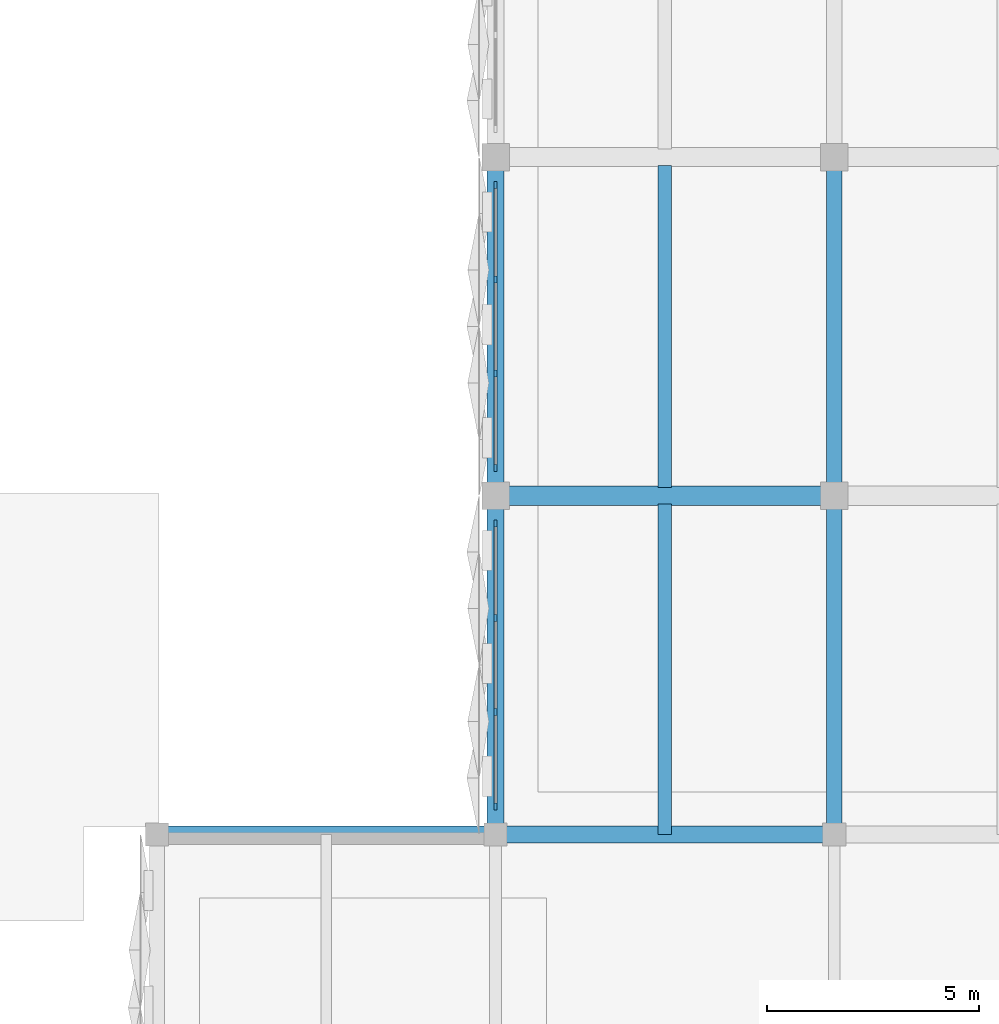
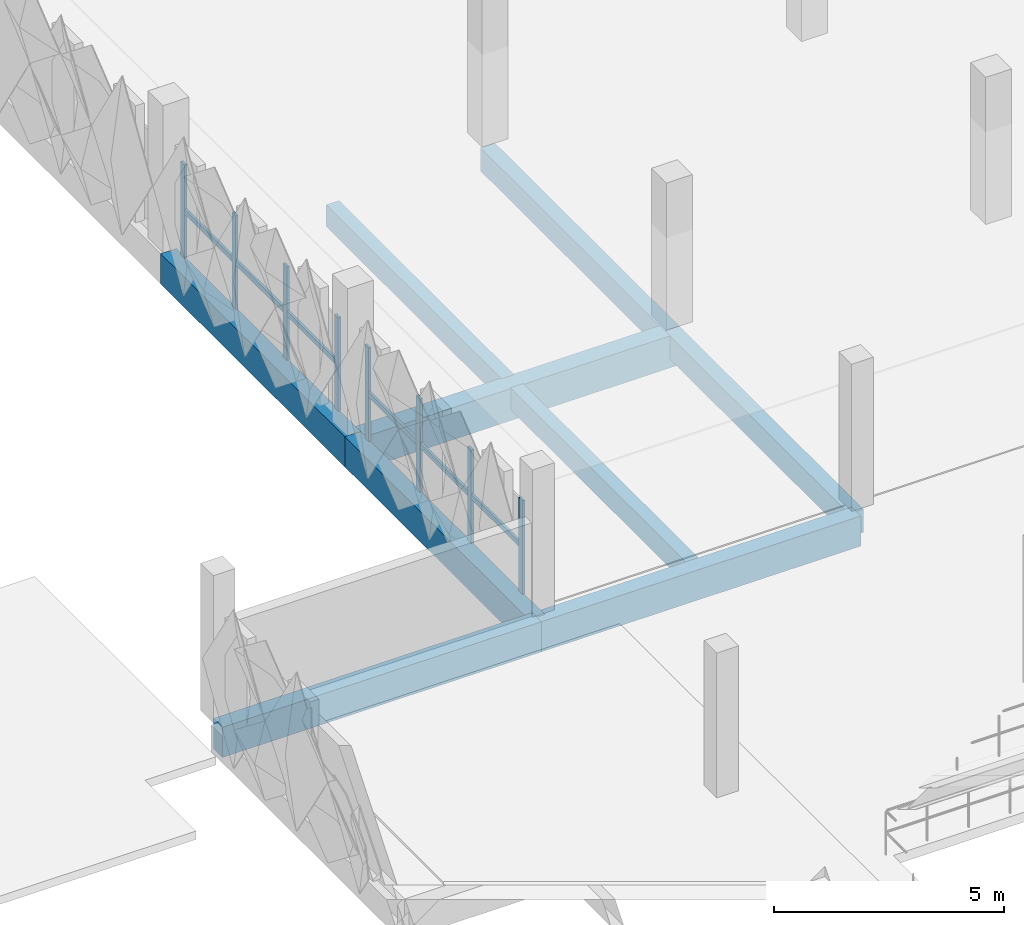
# One storey, part 28 of 96: 10 members, 9 beams, 2 elements without a shape of their own.
"""IFC4 building model written with IfcOpenShell, lengths in metres."""

from ifc_helpers import new_model, si_unit, derived_unit, direction, frame, origin, origin_2d, place, context, subcontext, project, spatial, rectangle, extrude, material, layer, layer_set, material_profile, profile_set, type_object, element, aggregate, save


model = new_model("IFC4")

# Units and contexts
model_context = context("Model", 3, precision=1e-05, world=origin(), true_north=direction((0.0, 1.0)))
body_context = subcontext(model_context, "Body", "Model", "MODEL_VIEW")
ifc_project = project(units=[si_unit("LENGTHUNIT", "METRE"), si_unit("AREAUNIT", "SQUARE_METRE"), si_unit("VOLUMEUNIT", "CUBIC_METRE"), si_unit("PLANEANGLEUNIT", "RADIAN"), si_unit("MASSUNIT", "GRAM", prefix="KILO"), si_unit("THERMODYNAMICTEMPERATUREUNIT", "KELVIN"), derived_unit("THERMALTRANSMITTANCEUNIT", [(si_unit("POWERUNIT", "WATT"), 1), (si_unit("AREAUNIT", "SQUARE_METRE"), -1), (si_unit("THERMODYNAMICTEMPERATUREUNIT", "KELVIN"), -1)])], contexts=[model_context])

# Site, building, storey
site_placement = place(None, origin())
site = spatial("IfcSite", under=ifc_project, at=site_placement, CompositionType="ELEMENT")
building_placement = place(site_placement, origin())
building = spatial("IfcBuilding", under=site, at=building_placement, Name="Haiyu Intermodal Mobility Hub", CompositionType="ELEMENT")
storey_placement = place(building_placement, frame((0.0, 0.0, 9.5)))
storey = spatial("IfcBuildingStorey", under=building, at=storey_placement, Name="L02", CompositionType="ELEMENT", Elevation=9.5)

# Beams
ifc_material_1 = material(Name="Concrete C40", Category="concrete")
ifc_material_profile_1 = material_profile(ifc_material_1, rectangle(XDim=0.449951171875, YDim=0.85009765625, at=origin_2d()), Name="RCB450x850")
ifc_profile_set_1 = profile_set([ifc_material_profile_1], Name="Concrete C40")
beam_type_1 = type_object("IfcBeamType", Name="BM-CB02", PredefinedType="BEAM", material=ifc_profile_set_1)
beam_1_placement = place(storey_placement, frame((162.0, 88.0, -0.68505859375), z_axis=(1.0, 0.0, 0.0), x_axis=(0.0, 1.0, 0.0)))
element("IfcBeam", 1, at=beam_1_placement, inside=storey, type_object=beam_type_1, Name="BM-V6G-L02-007", PredefinedType="BEAM", context=body_context, shape_type="SweptSolid", body=[
    extrude(rectangle(XDim=0.449951171875, YDim=0.85009765625, at=origin_2d()), origin(), (0.0, 0.0, 1.0), 8.0),
])
ifc_material_profile_2 = material_profile(ifc_material_1, rectangle(XDim=0.39990234375, YDim=0.800048828125, at=origin_2d()), Name="RCB400x800")
ifc_profile_set_2 = profile_set([ifc_material_profile_2], Name="Concrete C40")
beam_type_2 = type_object("IfcBeamType", Name="BM-CB05", PredefinedType="BEAM", material=ifc_profile_set_2)
for number, where, z_axis, x_axis, name in (
    (2, (154.0, 80.0, -0.659912109375), (1.0, 0.0, 0.0), (0.0, 1.0, 0.0), "BM-V5G-L02-056"),
    (3, (162.0, 80.0, -0.659912109375), (1.0, 0.0, 0.0), (0.0, 1.0, 0.0), "BM-V5G-L02-057"),
    (4, (162.0, 80.0, -0.659912109375), (0.0, 1.0, 0.0), (-1.0, 0.0, 0.0), "BM-V6T-L02-001"),
    (5, (162.0, 88.0, -0.659912109375), (0.0, 1.0, 0.0), (-1.0, 0.0, 0.0), "BM-V6T-L02-002"),
):
    element("IfcBeam", number, at=place(storey_placement, frame(where, z_axis=z_axis, x_axis=x_axis)), inside=storey, type_object=beam_type_2, Name=name, PredefinedType="BEAM", context=body_context, shape_type="SweptSolid", body=[
        extrude(rectangle(XDim=0.39990234375, YDim=0.800048828125, at=origin_2d()), origin(), (0.0, 0.0, 1.0), 8.0),
    ])
ifc_material_profile_3 = material_profile(ifc_material_1, rectangle(XDim=0.360107421875, YDim=0.6201171875, at=origin_2d()), Name="B360x620")
ifc_profile_set_3 = profile_set([ifc_material_profile_3], Name="Concrete C40")
beam_type_3 = type_object("IfcBeamType", Name="BM-CB16", PredefinedType="BEAM", material=ifc_profile_set_3)
for number, where, z_axis, x_axis, name in (
    (6, (170.0, 80.0, -0.570068359375), (0.0, 1.0, 0.0), (-1.0, 0.0, 0.0), "BM-V6T-L02-009"),
    (7, (170.0, 88.0, -0.570068359375), (0.0, 1.0, 0.0), (-1.0, 0.0, 0.0), "BM-V6T-L02-010"),
):
    element("IfcBeam", number, at=place(storey_placement, frame(where, z_axis=z_axis, x_axis=x_axis)), inside=storey, type_object=beam_type_3, Name=name, PredefinedType="BEAM", context=body_context, shape_type="SweptSolid", body=[
        extrude(rectangle(XDim=0.360107421875, YDim=0.6201171875, at=origin_2d()), origin(), (0.0, 0.0, 1.0), 8.0),
    ])
ifc_material_profile_4 = material_profile(ifc_material_1, rectangle(XDim=0.320068359375, YDim=0.580078125, at=origin_2d()), Name="B320x580")
ifc_profile_set_4 = profile_set([ifc_material_profile_4], Name="Concrete C40")
beam_type_4 = type_object("IfcBeamType", Name="BM-CB17", PredefinedType="JOIST", material=ifc_profile_set_4)
beam_2_placement = place(storey_placement, frame((166.0, 80.0, -0.550048828125), z_axis=(0.0, 1.0, 0.0), x_axis=(-1.0, 0.0, 0.0)))
element("IfcBeam", 8, at=beam_2_placement, inside=storey, type_object=beam_type_4, Name="BM-V6J-L02-001", PredefinedType="JOIST", context=body_context, shape_type="SweptSolid", body=[
    extrude(rectangle(XDim=0.320068359375, YDim=0.580078125, at=origin_2d()), origin(), (0.0, 0.0, 1.0), 7.804931640625),
])
beam_3_placement = place(storey_placement, frame((166.0, 88.195068359375, -0.550048828125), z_axis=(0.0, 1.0, 0.0), x_axis=(-1.0, 0.0, 0.0)))
element("IfcBeam", 9, at=beam_3_placement, inside=storey, type_object=beam_type_4, Name="BM-V6J-L02-002", PredefinedType="JOIST", context=body_context, shape_type="SweptSolid", body=[
    extrude(rectangle(XDim=0.320068359375, YDim=0.580078125, at=origin_2d()), origin(), (0.0, 0.0, 1.0), 7.60986328125),
])

# Curtain wall, members
ifc_material_2 = material(Name="Low-e laminated insulating glass", Category="glass")
ifc_layer = layer(ifc_material_2, 0.2099609375)
ifc_layer_set = layer_set([ifc_layer], Name="Low-e laminated insulating glass")
curtain_wall_type = type_object("IfcCurtainWallType", Name="CW-CW04", PredefinedType="NOTDEFINED", material=ifc_layer_set)
curtain_wall_1_placement = place(storey_placement, origin())
curtain_wall_1 = element("IfcCurtainWall", 10, at=curtain_wall_1_placement, inside=storey, type_object=curtain_wall_type, Name="Curtain Wall CW-V6W-L02-146", PredefinedType="NOTDEFINED")
ifc_material_3 = material(Name="Anodised aluminium 6063-T6", Category="aluminium")
ifc_material_profile_5 = material_profile(ifc_material_3, rectangle(XDim=0.06494140625, YDim=0.1650390625, at=origin_2d()), Name="ALU65x165")
ifc_profile_set_5 = profile_set([ifc_material_profile_5], Name="Anodised aluminium 6063-T6")
member_type_1 = type_object("IfcMemberType", Name="CWM-ML02", PredefinedType="MULLION", material=ifc_profile_set_5)
member_1_placement = place(storey_placement, frame((162.0, 87.340087890625, 0.0), z_axis=(0.0, 0.0, 1.0), x_axis=(1.0, 0.0, 0.0)))
member_1 = element("IfcMember", 11, at=member_1_placement, type_object=member_type_1, Name="CW-V6W-L02-146-ML01", PredefinedType="MULLION", context=body_context, shape_type="SweptSolid", body=[
    extrude(rectangle(XDim=0.06494140625, YDim=0.1650390625, at=origin_2d()), origin(), (0.0, 0.0, 1.0), 2.47998046875),
])
member_2_placement = place(storey_placement, frame((162.0, 85.113037109375, 0.0), z_axis=(0.0, 0.0, 1.0), x_axis=(1.0, 0.0, 0.0)))
member_2 = element("IfcMember", 12, at=member_2_placement, type_object=member_type_1, Name="CW-V6W-L02-146-ML02", PredefinedType="MULLION", context=body_context, shape_type="SweptSolid", body=[
    extrude(rectangle(XDim=0.06494140625, YDim=0.1650390625, at=origin_2d()), origin(), (0.0, 0.0, 1.0), 2.47998046875),
])
member_3_placement = place(storey_placement, frame((162.0, 82.886962890625, 0.0), z_axis=(0.0, 0.0, 1.0), x_axis=(1.0, 0.0, 0.0)))
member_3 = element("IfcMember", 13, at=member_3_placement, type_object=member_type_1, Name="CW-V6W-L02-146-ML03", PredefinedType="MULLION", context=body_context, shape_type="SweptSolid", body=[
    extrude(rectangle(XDim=0.06494140625, YDim=0.1650390625, at=origin_2d()), origin(), (0.0, 0.0, 1.0), 2.47998046875),
])
member_4_placement = place(storey_placement, frame((162.0, 80.659912109375, 0.0), z_axis=(0.0, 0.0, 1.0), x_axis=(1.0, 0.0, 0.0)))
member_4 = element("IfcMember", 14, at=member_4_placement, type_object=member_type_1, Name="CW-V6W-L02-146-ML04", PredefinedType="MULLION", context=body_context, shape_type="SweptSolid", body=[
    extrude(rectangle(XDim=0.06494140625, YDim=0.1650390625, at=origin_2d()), origin(), (0.0, 0.0, 1.0), 2.47998046875),
])

curtain_wall_2_placement = place(storey_placement, origin())
curtain_wall_2 = element("IfcCurtainWall", 15, at=curtain_wall_2_placement, inside=storey, type_object=curtain_wall_type, Name="Curtain Wall CW-V6W-L02-147", PredefinedType="NOTDEFINED")
member_5_placement = place(storey_placement, frame((162.0, 95.340087890625, 0.0), z_axis=(0.0, 0.0, 1.0), x_axis=(1.0, 0.0, 0.0)))
member_5 = element("IfcMember", 16, at=member_5_placement, type_object=member_type_1, Name="CW-V6W-L02-147-ML01", PredefinedType="MULLION", context=body_context, shape_type="SweptSolid", body=[
    extrude(rectangle(XDim=0.06494140625, YDim=0.1650390625, at=origin_2d()), origin(), (0.0, 0.0, 1.0), 2.47998046875),
])
member_6_placement = place(storey_placement, frame((162.0, 93.113037109375, 0.0), z_axis=(0.0, 0.0, 1.0), x_axis=(1.0, 0.0, 0.0)))
member_6 = element("IfcMember", 17, at=member_6_placement, type_object=member_type_1, Name="CW-V6W-L02-147-ML02", PredefinedType="MULLION", context=body_context, shape_type="SweptSolid", body=[
    extrude(rectangle(XDim=0.06494140625, YDim=0.1650390625, at=origin_2d()), origin(), (0.0, 0.0, 1.0), 2.47998046875),
])
member_7_placement = place(storey_placement, frame((162.0, 90.886962890625, 0.0), z_axis=(0.0, 0.0, 1.0), x_axis=(1.0, 0.0, 0.0)))
member_7 = element("IfcMember", 18, at=member_7_placement, type_object=member_type_1, Name="CW-V6W-L02-147-ML03", PredefinedType="MULLION", context=body_context, shape_type="SweptSolid", body=[
    extrude(rectangle(XDim=0.06494140625, YDim=0.1650390625, at=origin_2d()), origin(), (0.0, 0.0, 1.0), 2.47998046875),
])
member_8_placement = place(storey_placement, frame((162.0, 88.659912109375, 0.0), z_axis=(0.0, 0.0, 1.0), x_axis=(1.0, 0.0, 0.0)))
member_8 = element("IfcMember", 19, at=member_8_placement, type_object=member_type_1, Name="CW-V6W-L02-147-ML04", PredefinedType="MULLION", context=body_context, shape_type="SweptSolid", body=[
    extrude(rectangle(XDim=0.06494140625, YDim=0.1650390625, at=origin_2d()), origin(), (0.0, 0.0, 1.0), 2.47998046875),
])

# Member
ifc_material_profile_6 = material_profile(ifc_material_3, rectangle(XDim=0.06494140625, YDim=0.135009765625, at=origin_2d()), Name="ALU65x135")
ifc_profile_set_6 = profile_set([ifc_material_profile_6], Name="Anodised aluminium 6063-T6")
member_type_2 = type_object("IfcMemberType", Name="CWM-TR02", PredefinedType="USERDEFINED", material=ifc_profile_set_6)
member_9_placement = place(storey_placement, frame((162.0, 87.3798828125, 1.239990234375), z_axis=(0.0, -1.0, 0.0), x_axis=(1.0, 0.0, 0.0)))
member_9 = element("IfcMember", 20, at=member_9_placement, type_object=member_type_2, Name="CW-V6W-L02-146-TR01", ObjectType="TRANSOM", PredefinedType="USERDEFINED", context=body_context, shape_type="SweptSolid", body=[
    extrude(rectangle(XDim=0.06494140625, YDim=0.135009765625, at=origin_2d()), origin(), (0.0, 0.0, 1.0), 6.759765625),
])

aggregate(curtain_wall_1, [member_1, member_2, member_3, member_4, member_9])

member_10_placement = place(storey_placement, frame((162.0, 95.3798828125, 1.239990234375), z_axis=(0.0, -1.0, 0.0), x_axis=(1.0, 0.0, 0.0)))
member_10 = element("IfcMember", 21, at=member_10_placement, type_object=member_type_2, Name="CW-V6W-L02-147-TR01", ObjectType="TRANSOM", PredefinedType="USERDEFINED", context=body_context, shape_type="SweptSolid", body=[
    extrude(rectangle(XDim=0.06494140625, YDim=0.135009765625, at=origin_2d()), origin(), (0.0, 0.0, 1.0), 6.759765625),
])

aggregate(curtain_wall_2, [member_5, member_6, member_7, member_8, member_10])

save(model, "model.ifc")
